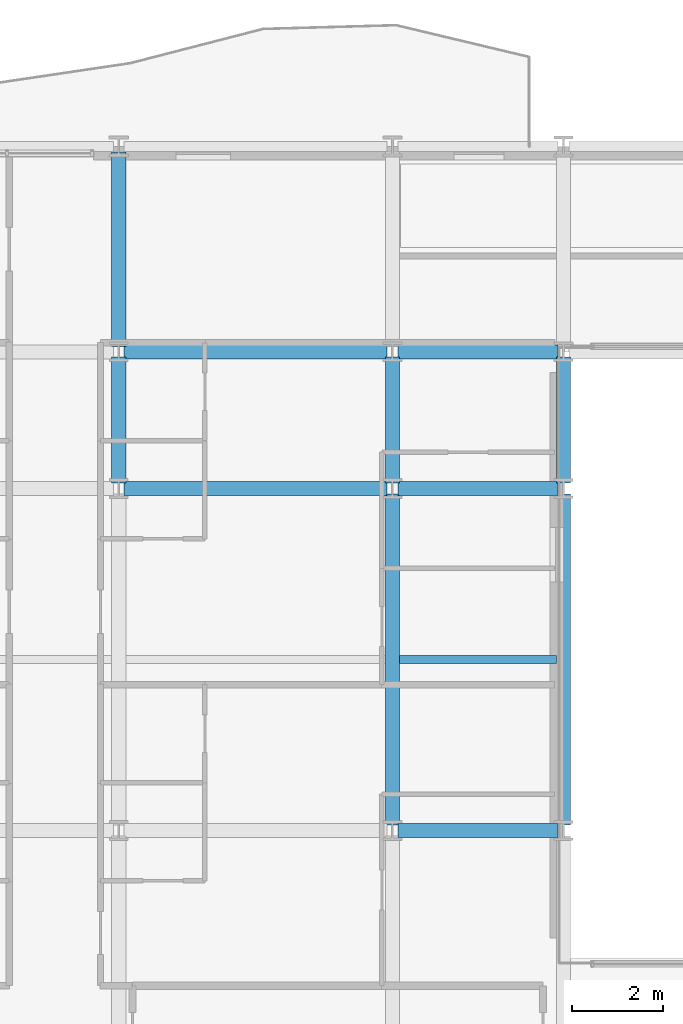
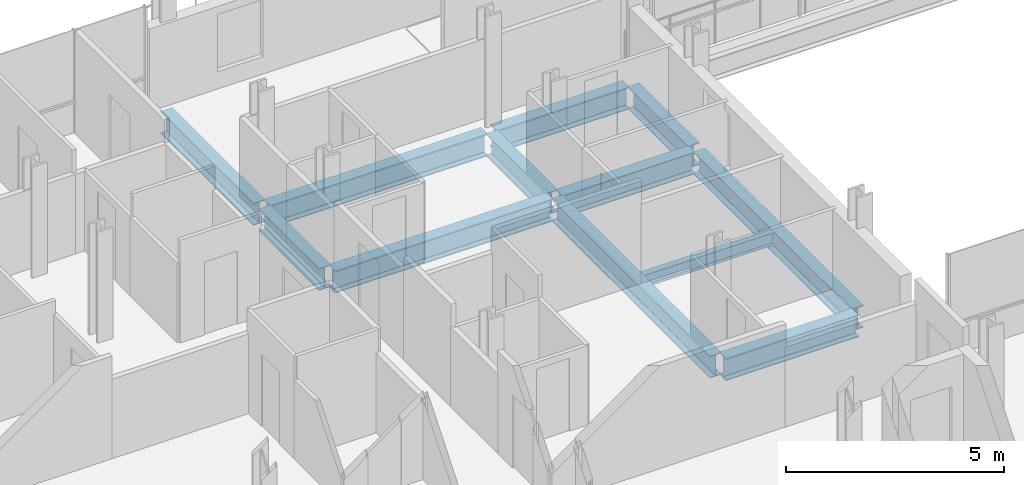
# One storey, part 8 of 40: 12 beams.
"""IFC4 building model written with IfcOpenShell, lengths in metres."""

import ifcopenshell
import ifcopenshell.guid

model = None  # the IFC model being written
_history = None  # IfcOwnerHistory: only IFC2X3 demands one
_inside = {}  # id of a spatial element -> (the spatial element, [elements in it])
_under = {}  # id of a project, library or spatial element -> (it, [spatial elements below it])
_declared = {}  # id of a project -> (the project, [libraries it declares])
_typed = {}  # id of a type object -> (the type object, [elements of that type])
_made_of = {}  # id of a material, layer set ... -> (it, [elements and type objects made of it])


def new_model(schema):
    """Start an empty IFC model of exactly this schema.

    Asked for "IFC4X3", IfcOpenShell would pick the latest addendum, in which some entities
    have other attributes; the version numbers below select the first issue.
    IFC2X3 requires an IfcOwnerHistory on every rooted entity: one is made here for all.
    """
    global model, _history
    if schema == "IFC4X3":
        model = ifcopenshell.file(schema_version=(4, 3, 0, 0))
    else:
        model = ifcopenshell.file(schema=schema)
    _inside.clear()
    _under.clear()
    _declared.clear()
    _typed.clear()
    _made_of.clear()
    _history = None
    if model.schema == "IFC2X3":
        org = make("IfcOrganization", Name="unknown")
        user = make(
            "IfcPersonAndOrganization",
            ThePerson=make("IfcPerson", FamilyName="unknown"),
            TheOrganization=org,
        )
        app = make(
            "IfcApplication",
            ApplicationDeveloper=org,
            Version="unknown",
            ApplicationFullName="unknown",
            ApplicationIdentifier="unknown",
        )
        _history = make(
            "IfcOwnerHistory",
            OwningUser=user,
            OwningApplication=app,
            ChangeAction="ADDED",
            CreationDate=0,
        )
    return model


def make(cls, **values):
    """One entity of the class cls with the attributes given. An attribute that is None is left unset."""
    return model.create_entity(
        cls, **{name: value for name, value in values.items() if value is not None}
    )


def rooted(cls, **values):
    """An entity with a GlobalId (a new one), such as an element, a storey or a relation."""
    return make(cls, GlobalId=ifcopenshell.guid.new(), OwnerHistory=_history, **values)


def si_unit(unit_type, name, prefix=None):
    """IfcSIUnit, for example si_unit("LENGTHUNIT", "METRE", prefix="MILLI")."""
    return make("IfcSIUnit", UnitType=unit_type, Prefix=prefix, Name=name)


def assignment(units):
    """IfcUnitAssignment: the units of a project."""
    return None if units is None else make("IfcUnitAssignment", Units=units)


def point(xyz):
    """IfcCartesianPoint."""
    return None if xyz is None else make("IfcCartesianPoint", Coordinates=xyz)


def direction(xyz):
    """IfcDirection."""
    return None if xyz is None else make("IfcDirection", DirectionRatios=xyz)


def frame(location, z_axis=None, x_axis=None):
    """IfcAxis2Placement3D, a coordinate frame: its origin and axes. An axis left out is left unset."""
    return make(
        "IfcAxis2Placement3D",
        Location=point(location),
        Axis=direction(z_axis),
        RefDirection=direction(x_axis),
    )


def frame_2d(location, x_axis=None):
    """IfcAxis2Placement2D, a coordinate frame in the plane: its origin and x axis."""
    return make(
        "IfcAxis2Placement2D", Location=point(location), RefDirection=direction(x_axis)
    )


def origin():
    """The frame at (0, 0, 0) with its axes left unset."""
    return frame((0.0, 0.0, 0.0))


def origin_2d():
    """The frame at (0, 0) in the plane with its x axis left unset."""
    return frame_2d((0.0, 0.0))


def place(relative_to, where):
    """IfcLocalPlacement: puts the frame where relative to a parent placement (None: the world)."""
    return make(
        "IfcLocalPlacement", PlacementRelTo=relative_to, RelativePlacement=where
    )


def context(
    kind, dimensions, precision=None, world=None, true_north=None, identifier=None
):
    """IfcGeometricRepresentationContext, for example the 3D "Model" context."""
    return make(
        "IfcGeometricRepresentationContext",
        ContextIdentifier=identifier,
        ContextType=kind,
        CoordinateSpaceDimension=dimensions,
        Precision=precision,
        WorldCoordinateSystem=world,
        TrueNorth=true_north,
    )


def subcontext(parent, identifier, kind, view, scale=None):
    """IfcGeometricRepresentationSubContext, for example "Body" below "Model"."""
    return make(
        "IfcGeometricRepresentationSubContext",
        ContextIdentifier=identifier,
        ContextType=kind,
        ParentContext=parent,
        TargetScale=scale,
        TargetView=view,
    )


def project(units=None, contexts=None):
    """IfcProject with its units and contexts."""
    return rooted(
        "IfcProject",
        Name="project",
        RepresentationContexts=contexts,
        UnitsInContext=assignment(units),
    )


def spatial(cls, under=None, at=None, **own):
    """A site, building, storey or space (cls), placed at a placement, below another one or the project."""
    s = rooted(cls, ObjectPlacement=at, **own)
    if under is not None:
        _under.setdefault(under.id(), (under, []))[1].append(s)
    return s


def profile(cls, at=None, kind="AREA", **sizes):
    """A parametric profile (cls). Its sizes go by their IFC names, for example OverallWidth=200.0."""
    return make(cls, ProfileType=kind, Position=at, **sizes)


def i_section(**sizes):
    """IfcIShapeProfileDef."""
    return profile("IfcIShapeProfileDef", **sizes)


def extrude(swept, where, along, depth):
    """IfcExtrudedAreaSolid: the profile swept, set in the frame where, extruded along a direction by depth."""
    return make(
        "IfcExtrudedAreaSolid",
        SweptArea=swept,
        Position=where,
        ExtrudedDirection=direction(along),
        Depth=depth,
    )


def shape(context_of_items, identifier, shape_type, items):
    """IfcShapeRepresentation: the items that make up one representation, for example the "Body"."""
    return make(
        "IfcShapeRepresentation",
        ContextOfItems=context_of_items,
        RepresentationIdentifier=identifier,
        RepresentationType=shape_type,
        Items=items,
    )


def material(Name=None, Category=None):
    """IfcMaterial."""
    return make("IfcMaterial", Name=Name, Category=Category)


def material_profile(
    of_material, cross_section, Name=None, Category=None, Priority=None
):
    """IfcMaterialProfile: a cross section and its material."""
    return make(
        "IfcMaterialProfile",
        Name=Name,
        Material=of_material,
        Profile=cross_section,
        Priority=Priority,
        Category=Category,
    )


def profile_set(profiles, Name=None, composite=None):
    """IfcMaterialProfileSet."""
    return make(
        "IfcMaterialProfileSet",
        Name=Name,
        MaterialProfiles=profiles,
        CompositeProfile=composite,
    )


def made_of(thing, what):
    """Note that an element or type object is made of a material, layer set ...; save() writes the relation."""
    if what is not None:
        _made_of.setdefault(what.id(), (what, []))[1].append(thing)
    return thing


def type_object(cls, material=None, **own):
    """A type object (cls), such as IfcWallType, which elements share."""
    return made_of(rooted(cls, **own), material)


def element(
    cls,
    number,
    at=None,
    inside=None,
    cuts=None,
    type_object=None,
    material=None,
    context=None,
    identifier="Body",
    shape_type=None,
    held_by="IfcProductDefinitionShape",
    body=None,
    shapes=None,
    **own,
):
    """One element of the class cls, such as IfcWall. Its Tag is "e" and its number.

    at: its placement. inside: the storey or other place that contains it. cuts: it is an
    opening in that element (IfcRelVoidsElement). A single representation is given by context,
    identifier, shape_type and body (its items); several are given by shapes. held_by: the class
    of the entity that holds the representations. save() writes the other relations.
    """
    e = rooted(cls, Tag="e%d" % number, ObjectPlacement=at, **own)
    if body is not None:
        shapes = [shape(context, identifier, shape_type, body)]
    if shapes is not None:
        e.Representation = make(held_by, Representations=shapes)
    if inside is not None:
        _inside.setdefault(inside.id(), (inside, []))[1].append(e)
    if cuts is not None:
        rooted(
            "IfcRelVoidsElement", RelatingBuildingElement=cuts, RelatedOpeningElement=e
        )
    if type_object is not None:
        _typed.setdefault(type_object.id(), (type_object, []))[1].append(e)
    return made_of(e, material)


def aggregate(whole, parts):
    """IfcRelAggregates: a whole, such as a stair, and the parts it consists of."""
    return rooted("IfcRelAggregates", RelatingObject=whole, RelatedObjects=parts)


def save(model, path):
    """Write the relations noted so far, then the file.

    IfcRelAggregates (storeys below a building ...), IfcRelContainedInSpatialStructure (elements
    in a storey), IfcRelDefinesByType, IfcRelAssociatesMaterial and IfcRelDeclares: one each for
    every whole, place, type object, material and project.
    """
    for whole, parts in _under.values():
        aggregate(whole, parts)
    for where, things in _inside.values():
        rooted(
            "IfcRelContainedInSpatialStructure",
            RelatedElements=things,
            RelatingStructure=where,
        )
    for kind, things in _typed.values():
        rooted("IfcRelDefinesByType", RelatedObjects=things, RelatingType=kind)
    for what, things in _made_of.values():
        rooted("IfcRelAssociatesMaterial", RelatedObjects=things, RelatingMaterial=what)
    for by, libraries in _declared.values():
        rooted("IfcRelDeclares", RelatingContext=by, RelatedDefinitions=libraries)
    model.write(path)


model = new_model("IFC4")

# Units and contexts
model_context = context("Model", 3, precision=1e-05, world=origin(), true_north=direction((0.0, 1.0)))
body_context = subcontext(model_context, "Body", "Model", "MODEL_VIEW")
ifc_project = project(units=[si_unit("LENGTHUNIT", "METRE"), si_unit("AREAUNIT", "SQUARE_METRE"), si_unit("VOLUMEUNIT", "CUBIC_METRE"), si_unit("PLANEANGLEUNIT", "RADIAN"), si_unit("MASSUNIT", "GRAM", prefix="KILO")], contexts=[model_context])

# Site, building, storey
site_placement = place(None, origin())
site = spatial("IfcSite", under=ifc_project, at=site_placement, CompositionType="ELEMENT")
building_placement = place(site_placement, origin())
building = spatial("IfcBuilding", under=site, at=building_placement, Name="Brevholm Reach", CompositionType="ELEMENT")
storey_placement = place(building_placement, frame((0.0, 0.0, 80.699951171875)))
storey = spatial("IfcBuildingStorey", under=building, at=storey_placement, Name="L23", CompositionType="ELEMENT", Elevation=80.699951171875)

# Beams
ifc_material_1 = material(Name="Structural Steel S355J2", Category="steel")
ifc_material_profile_1 = material_profile(ifc_material_1, i_section(OverallWidth=0.17138671875, OverallDepth=0.35498046875, WebThickness=0.00732421875, FlangeThickness=0.011474609375, FilletRadius=0.01025390625, at=origin_2d()), Name="UKB 356x171x51")
ifc_profile_set_1 = profile_set([ifc_material_profile_1], Name="Structural Steel S355J2")
beam_type_1 = type_object("IfcBeamType", Name="BM-B356", PredefinedType="BEAM", material=ifc_profile_set_1)
beam_1_placement = place(storey_placement, frame((18.153564453125, 19.75, -0.407470703125), z_axis=(1.0, 0.0, 0.0), x_axis=(0.0, 1.0, 0.0)))
element("IfcBeam", 1, at=beam_1_placement, inside=storey, type_object=beam_type_1, Name="L23 Composite Secondary Floor Beam", PredefinedType="BEAM", context=body_context, shape_type="SweptSolid", body=[
    extrude(i_section(OverallWidth=0.17138671875, OverallDepth=0.35498046875, WebThickness=0.00732421875, FlangeThickness=0.011474609375, FilletRadius=0.01025390625, at=origin_2d()), origin(), (0.0, 0.0, 1.0), 3.44287109375),
])
ifc_material_2 = material(Name="Structural Steel S355J2", Category="steel")
ifc_material_profile_2 = material_profile(ifc_material_2, i_section(OverallWidth=0.30712890625, OverallDepth=0.6201171875, WebThickness=0.01416015625, FlangeThickness=0.023681640625, FilletRadius=0.0166015625, at=origin_2d()), Name="UKB 610x305x179")
ifc_profile_set_2 = profile_set([ifc_material_profile_2], Name="Structural Steel S355J2")
beam_type_2 = type_object("IfcBeamType", Name="BM-UKB610H", PredefinedType="USERDEFINED", material=ifc_profile_set_2)
beam_2_placement = place(storey_placement, frame((18.1201171875, 16.0, -0.5400390625), z_axis=(1.0, 0.0, 0.0), x_axis=(0.0, 1.0, 0.0)))
element("IfcBeam", 2, at=beam_2_placement, inside=storey, type_object=beam_type_2, Name="L23 G-06 Framing Beam", ObjectType="GIRDER", PredefinedType="USERDEFINED", context=body_context, shape_type="SweptSolid", body=[
    extrude(i_section(OverallWidth=0.30712890625, OverallDepth=0.6201171875, WebThickness=0.01416015625, FlangeThickness=0.023681640625, FilletRadius=0.0166015625, at=origin_2d()), origin(), (0.0, 0.0, 1.0), 3.509765625),
])
beam_3_placement = place(storey_placement, frame((12.1201171875, 23.5, -0.5400390625), z_axis=(1.0, 0.0, 0.0), x_axis=(0.0, 1.0, 0.0)))
element("IfcBeam", 3, at=beam_3_placement, inside=storey, type_object=beam_type_2, Name="L23 G-06 Framing Beam", ObjectType="GIRDER", PredefinedType="USERDEFINED", context=body_context, shape_type="SweptSolid", body=[
    extrude(i_section(OverallWidth=0.30712890625, OverallDepth=0.6201171875, WebThickness=0.01416015625, FlangeThickness=0.023681640625, FilletRadius=0.0166015625, at=origin_2d()), origin(), (0.0, 0.0, 1.0), 5.759765625),
])
beam_4_placement = place(storey_placement, frame((18.1201171875, 23.5, -0.5400390625), z_axis=(1.0, 0.0, 0.0), x_axis=(0.0, 1.0, 0.0)))
element("IfcBeam", 4, at=beam_4_placement, inside=storey, type_object=beam_type_2, Name="L23 G-06 Framing Beam", ObjectType="GIRDER", PredefinedType="USERDEFINED", context=body_context, shape_type="SweptSolid", body=[
    extrude(i_section(OverallWidth=0.30712890625, OverallDepth=0.6201171875, WebThickness=0.01416015625, FlangeThickness=0.023681640625, FilletRadius=0.0166015625, at=origin_2d()), origin(), (0.0, 0.0, 1.0), 3.509765625),
])
beam_5_placement = place(storey_placement, frame((12.1201171875, 26.5, -0.5400390625), z_axis=(1.0, 0.0, 0.0), x_axis=(0.0, 1.0, 0.0)))
element("IfcBeam", 5, at=beam_5_placement, inside=storey, type_object=beam_type_2, Name="L23 G-06 Framing Beam", ObjectType="GIRDER", PredefinedType="USERDEFINED", context=body_context, shape_type="SweptSolid", body=[
    extrude(i_section(OverallWidth=0.30712890625, OverallDepth=0.6201171875, WebThickness=0.01416015625, FlangeThickness=0.023681640625, FilletRadius=0.0166015625, at=origin_2d()), origin(), (0.0, 0.0, 1.0), 5.759765625),
])
beam_6_placement = place(storey_placement, frame((18.1201171875, 26.5, -0.5400390625), z_axis=(1.0, 0.0, 0.0), x_axis=(0.0, 1.0, 0.0)))
element("IfcBeam", 6, at=beam_6_placement, inside=storey, type_object=beam_type_2, Name="L23 G-06 Framing Beam", ObjectType="GIRDER", PredefinedType="USERDEFINED", context=body_context, shape_type="SweptSolid", body=[
    extrude(i_section(OverallWidth=0.30712890625, OverallDepth=0.6201171875, WebThickness=0.01416015625, FlangeThickness=0.023681640625, FilletRadius=0.0166015625, at=origin_2d()), origin(), (0.0, 0.0, 1.0), 3.509765625),
])
beam_7_placement = place(storey_placement, frame((12.0, 23.6201171875, -0.5400390625), z_axis=(0.0, 1.0, 0.0), x_axis=(-1.0, 0.0, 0.0)))
element("IfcBeam", 7, at=beam_7_placement, inside=storey, type_object=beam_type_2, Name="L23 G-06 Framing Beam", ObjectType="GIRDER", PredefinedType="USERDEFINED", context=body_context, shape_type="SweptSolid", body=[
    extrude(i_section(OverallWidth=0.30712890625, OverallDepth=0.6201171875, WebThickness=0.01416015625, FlangeThickness=0.023681640625, FilletRadius=0.0166015625, at=origin_2d()), origin(), (0.0, 0.0, 1.0), 2.759765625),
])
beam_8_placement = place(storey_placement, frame((12.0, 26.6201171875, -0.5400390625), z_axis=(0.0, 1.0, 0.0), x_axis=(-1.0, 0.0, 0.0)))
element("IfcBeam", 8, at=beam_8_placement, inside=storey, type_object=beam_type_2, Name="L23 G-06 Framing Beam", ObjectType="GIRDER", PredefinedType="USERDEFINED", context=body_context, shape_type="SweptSolid", body=[
    extrude(i_section(OverallWidth=0.30712890625, OverallDepth=0.6201171875, WebThickness=0.01416015625, FlangeThickness=0.023681640625, FilletRadius=0.0166015625, at=origin_2d()), origin(), (0.0, 0.0, 1.0), 4.259765625),
])
beam_9_placement = place(storey_placement, frame((18.0, 16.1201171875, -0.5400390625), z_axis=(0.0, 1.0, 0.0), x_axis=(-1.0, 0.0, 0.0)))
element("IfcBeam", 9, at=beam_9_placement, inside=storey, type_object=beam_type_2, Name="L23 G-06 Framing Beam", ObjectType="GIRDER", PredefinedType="USERDEFINED", context=body_context, shape_type="SweptSolid", body=[
    extrude(i_section(OverallWidth=0.30712890625, OverallDepth=0.6201171875, WebThickness=0.01416015625, FlangeThickness=0.023681640625, FilletRadius=0.0166015625, at=origin_2d()), origin(), (0.0, 0.0, 1.0), 7.259765625),
])
beam_10_placement = place(storey_placement, frame((18.0, 23.6201171875, -0.5400390625), z_axis=(0.0, 1.0, 0.0), x_axis=(-1.0, 0.0, 0.0)))
element("IfcBeam", 10, at=beam_10_placement, inside=storey, type_object=beam_type_2, Name="L23 G-06 Framing Beam", ObjectType="GIRDER", PredefinedType="USERDEFINED", context=body_context, shape_type="SweptSolid", body=[
    extrude(i_section(OverallWidth=0.30712890625, OverallDepth=0.6201171875, WebThickness=0.01416015625, FlangeThickness=0.023681640625, FilletRadius=0.0166015625, at=origin_2d()), origin(), (0.0, 0.0, 1.0), 2.759765625),
])
beam_11_placement = place(storey_placement, frame((21.75, 16.1201171875, -0.5400390625), z_axis=(0.0, 1.0, 0.0), x_axis=(-1.0, 0.0, 0.0)))
element("IfcBeam", 11, at=beam_11_placement, inside=storey, type_object=beam_type_2, Name="L23 G-06 Framing Beam", ObjectType="GIRDER", PredefinedType="USERDEFINED", context=body_context, shape_type="SweptSolid", body=[
    extrude(i_section(OverallWidth=0.30712890625, OverallDepth=0.6201171875, WebThickness=0.01416015625, FlangeThickness=0.023681640625, FilletRadius=0.0166015625, at=origin_2d()), origin(), (0.0, 0.0, 1.0), 7.259765625),
])
beam_12_placement = place(storey_placement, frame((21.75, 23.6201171875, -0.5400390625), z_axis=(0.0, 1.0, 0.0), x_axis=(-1.0, 0.0, 0.0)))
element("IfcBeam", 12, at=beam_12_placement, inside=storey, type_object=beam_type_2, Name="L23 G-06 Framing Beam", ObjectType="GIRDER", PredefinedType="USERDEFINED", context=body_context, shape_type="SweptSolid", body=[
    extrude(i_section(OverallWidth=0.30712890625, OverallDepth=0.6201171875, WebThickness=0.01416015625, FlangeThickness=0.023681640625, FilletRadius=0.0166015625, at=origin_2d()), origin(), (0.0, 0.0, 1.0), 2.759765625),
])

save(model, "model.ifc")
